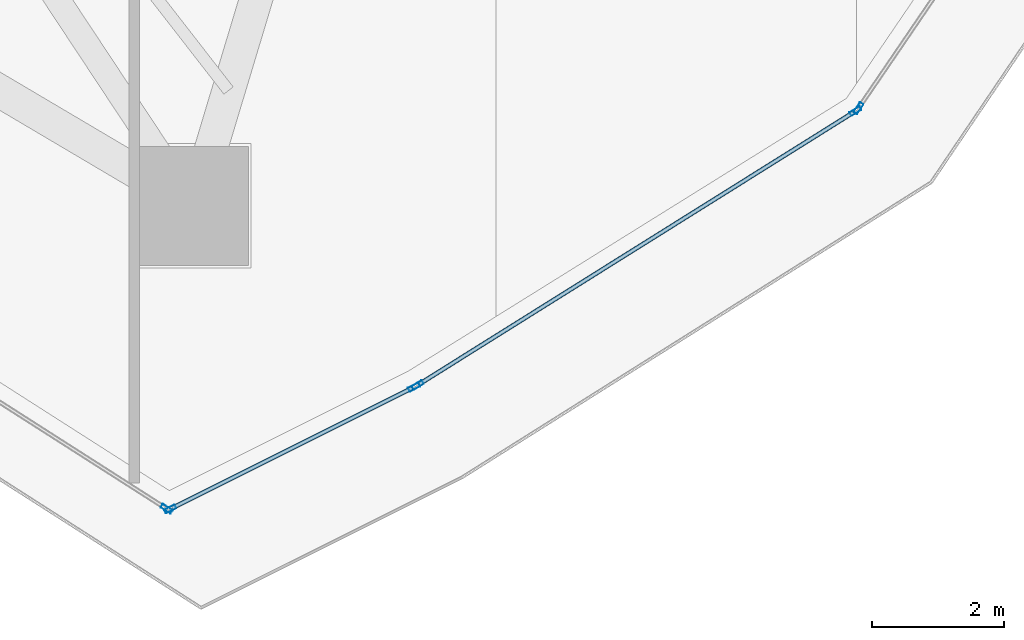
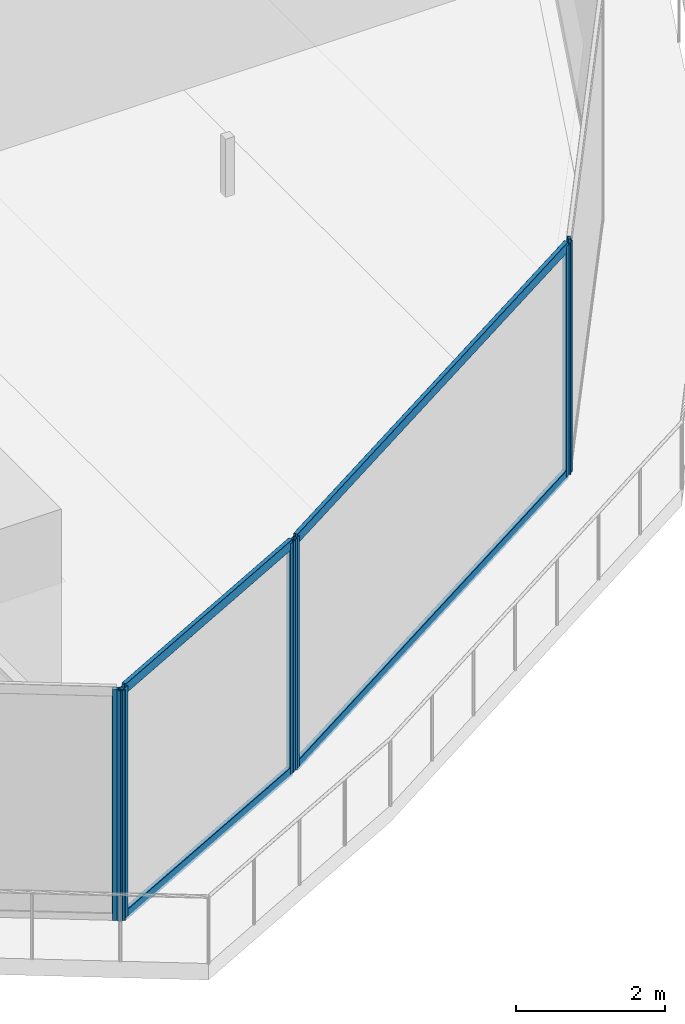
# One storey, part 8 of 33: 10 members, 4 elements without a shape of their own.
"""IFC4 building model written with IfcOpenShell, lengths in metres."""

import ifcopenshell
import ifcopenshell.guid

model = None  # the IFC model being written
_history = None  # IfcOwnerHistory: only IFC2X3 demands one
_inside = {}  # id of a spatial element -> (the spatial element, [elements in it])
_under = {}  # id of a project, library or spatial element -> (it, [spatial elements below it])
_declared = {}  # id of a project -> (the project, [libraries it declares])
_typed = {}  # id of a type object -> (the type object, [elements of that type])
_made_of = {}  # id of a material, layer set ... -> (it, [elements and type objects made of it])


def new_model(schema):
    """Start an empty IFC model of exactly this schema.

    Asked for "IFC4X3", IfcOpenShell would pick the latest addendum, in which some entities
    have other attributes; the version numbers below select the first issue.
    IFC2X3 requires an IfcOwnerHistory on every rooted entity: one is made here for all.
    """
    global model, _history
    if schema == "IFC4X3":
        model = ifcopenshell.file(schema_version=(4, 3, 0, 0))
    else:
        model = ifcopenshell.file(schema=schema)
    _inside.clear()
    _under.clear()
    _declared.clear()
    _typed.clear()
    _made_of.clear()
    _history = None
    if model.schema == "IFC2X3":
        org = make("IfcOrganization", Name="unknown")
        user = make(
            "IfcPersonAndOrganization",
            ThePerson=make("IfcPerson", FamilyName="unknown"),
            TheOrganization=org,
        )
        app = make(
            "IfcApplication",
            ApplicationDeveloper=org,
            Version="unknown",
            ApplicationFullName="unknown",
            ApplicationIdentifier="unknown",
        )
        _history = make(
            "IfcOwnerHistory",
            OwningUser=user,
            OwningApplication=app,
            ChangeAction="ADDED",
            CreationDate=0,
        )
    return model


def make(cls, **values):
    """One entity of the class cls with the attributes given. An attribute that is None is left unset."""
    return model.create_entity(
        cls, **{name: value for name, value in values.items() if value is not None}
    )


def rooted(cls, **values):
    """An entity with a GlobalId (a new one), such as an element, a storey or a relation."""
    return make(cls, GlobalId=ifcopenshell.guid.new(), OwnerHistory=_history, **values)


def si_unit(unit_type, name, prefix=None):
    """IfcSIUnit, for example si_unit("LENGTHUNIT", "METRE", prefix="MILLI")."""
    return make("IfcSIUnit", UnitType=unit_type, Prefix=prefix, Name=name)


def assignment(units):
    """IfcUnitAssignment: the units of a project."""
    return None if units is None else make("IfcUnitAssignment", Units=units)


def point(xyz):
    """IfcCartesianPoint."""
    return None if xyz is None else make("IfcCartesianPoint", Coordinates=xyz)


def direction(xyz):
    """IfcDirection."""
    return None if xyz is None else make("IfcDirection", DirectionRatios=xyz)


def frame(location, z_axis=None, x_axis=None):
    """IfcAxis2Placement3D, a coordinate frame: its origin and axes. An axis left out is left unset."""
    return make(
        "IfcAxis2Placement3D",
        Location=point(location),
        Axis=direction(z_axis),
        RefDirection=direction(x_axis),
    )


def frame_2d(location, x_axis=None):
    """IfcAxis2Placement2D, a coordinate frame in the plane: its origin and x axis."""
    return make(
        "IfcAxis2Placement2D", Location=point(location), RefDirection=direction(x_axis)
    )


def origin():
    """The frame at (0, 0, 0) with its axes left unset."""
    return frame((0.0, 0.0, 0.0))


def origin_2d():
    """The frame at (0, 0) in the plane with its x axis left unset."""
    return frame_2d((0.0, 0.0))


def place(relative_to, where):
    """IfcLocalPlacement: puts the frame where relative to a parent placement (None: the world)."""
    return make(
        "IfcLocalPlacement", PlacementRelTo=relative_to, RelativePlacement=where
    )


def context(
    kind, dimensions, precision=None, world=None, true_north=None, identifier=None
):
    """IfcGeometricRepresentationContext, for example the 3D "Model" context."""
    return make(
        "IfcGeometricRepresentationContext",
        ContextIdentifier=identifier,
        ContextType=kind,
        CoordinateSpaceDimension=dimensions,
        Precision=precision,
        WorldCoordinateSystem=world,
        TrueNorth=true_north,
    )


def subcontext(parent, identifier, kind, view, scale=None):
    """IfcGeometricRepresentationSubContext, for example "Body" below "Model"."""
    return make(
        "IfcGeometricRepresentationSubContext",
        ContextIdentifier=identifier,
        ContextType=kind,
        ParentContext=parent,
        TargetScale=scale,
        TargetView=view,
    )


def project(units=None, contexts=None):
    """IfcProject with its units and contexts."""
    return rooted(
        "IfcProject",
        Name="project",
        RepresentationContexts=contexts,
        UnitsInContext=assignment(units),
    )


def spatial(cls, under=None, at=None, **own):
    """A site, building, storey or space (cls), placed at a placement, below another one or the project."""
    s = rooted(cls, ObjectPlacement=at, **own)
    if under is not None:
        _under.setdefault(under.id(), (under, []))[1].append(s)
    return s


def profile(cls, at=None, kind="AREA", **sizes):
    """A parametric profile (cls). Its sizes go by their IFC names, for example OverallWidth=200.0."""
    return make(cls, ProfileType=kind, Position=at, **sizes)


def hollow_rectangle(**sizes):
    """IfcRectangleHollowProfileDef."""
    return profile("IfcRectangleHollowProfileDef", **sizes)


def extrude(swept, where, along, depth):
    """IfcExtrudedAreaSolid: the profile swept, set in the frame where, extruded along a direction by depth."""
    return make(
        "IfcExtrudedAreaSolid",
        SweptArea=swept,
        Position=where,
        ExtrudedDirection=direction(along),
        Depth=depth,
    )


def shape(context_of_items, identifier, shape_type, items):
    """IfcShapeRepresentation: the items that make up one representation, for example the "Body"."""
    return make(
        "IfcShapeRepresentation",
        ContextOfItems=context_of_items,
        RepresentationIdentifier=identifier,
        RepresentationType=shape_type,
        Items=items,
    )


def material(Name=None, Category=None):
    """IfcMaterial."""
    return make("IfcMaterial", Name=Name, Category=Category)


def layer(
    of_material, thickness, ventilated=None, Name=None, Category=None, Priority=None
):
    """IfcMaterialLayer: one layer of a wall or slab, of a material (None: an air gap)."""
    return make(
        "IfcMaterialLayer",
        Material=of_material,
        LayerThickness=thickness,
        IsVentilated=ventilated,
        Name=Name,
        Category=Category,
        Priority=Priority,
    )


def layer_set(layers, Name=None):
    """IfcMaterialLayerSet."""
    return make("IfcMaterialLayerSet", MaterialLayers=layers, LayerSetName=Name)


def material_profile(
    of_material, cross_section, Name=None, Category=None, Priority=None
):
    """IfcMaterialProfile: a cross section and its material."""
    return make(
        "IfcMaterialProfile",
        Name=Name,
        Material=of_material,
        Profile=cross_section,
        Priority=Priority,
        Category=Category,
    )


def profile_set(profiles, Name=None, composite=None):
    """IfcMaterialProfileSet."""
    return make(
        "IfcMaterialProfileSet",
        Name=Name,
        MaterialProfiles=profiles,
        CompositeProfile=composite,
    )


def made_of(thing, what):
    """Note that an element or type object is made of a material, layer set ...; save() writes the relation."""
    if what is not None:
        _made_of.setdefault(what.id(), (what, []))[1].append(thing)
    return thing


def type_object(cls, material=None, **own):
    """A type object (cls), such as IfcWallType, which elements share."""
    return made_of(rooted(cls, **own), material)


def element(
    cls,
    number,
    at=None,
    inside=None,
    cuts=None,
    type_object=None,
    material=None,
    context=None,
    identifier="Body",
    shape_type=None,
    held_by="IfcProductDefinitionShape",
    body=None,
    shapes=None,
    **own,
):
    """One element of the class cls, such as IfcWall. Its Tag is "e" and its number.

    at: its placement. inside: the storey or other place that contains it. cuts: it is an
    opening in that element (IfcRelVoidsElement). A single representation is given by context,
    identifier, shape_type and body (its items); several are given by shapes. held_by: the class
    of the entity that holds the representations. save() writes the other relations.
    """
    e = rooted(cls, Tag="e%d" % number, ObjectPlacement=at, **own)
    if body is not None:
        shapes = [shape(context, identifier, shape_type, body)]
    if shapes is not None:
        e.Representation = make(held_by, Representations=shapes)
    if inside is not None:
        _inside.setdefault(inside.id(), (inside, []))[1].append(e)
    if cuts is not None:
        rooted(
            "IfcRelVoidsElement", RelatingBuildingElement=cuts, RelatedOpeningElement=e
        )
    if type_object is not None:
        _typed.setdefault(type_object.id(), (type_object, []))[1].append(e)
    return made_of(e, material)


def aggregate(whole, parts):
    """IfcRelAggregates: a whole, such as a stair, and the parts it consists of."""
    return rooted("IfcRelAggregates", RelatingObject=whole, RelatedObjects=parts)


def save(model, path):
    """Write the relations noted so far, then the file.

    IfcRelAggregates (storeys below a building ...), IfcRelContainedInSpatialStructure (elements
    in a storey), IfcRelDefinesByType, IfcRelAssociatesMaterial and IfcRelDeclares: one each for
    every whole, place, type object, material and project.
    """
    for whole, parts in _under.values():
        aggregate(whole, parts)
    for where, things in _inside.values():
        rooted(
            "IfcRelContainedInSpatialStructure",
            RelatedElements=things,
            RelatingStructure=where,
        )
    for kind, things in _typed.values():
        rooted("IfcRelDefinesByType", RelatedObjects=things, RelatingType=kind)
    for what, things in _made_of.values():
        rooted("IfcRelAssociatesMaterial", RelatedObjects=things, RelatingMaterial=what)
    for by, libraries in _declared.values():
        rooted("IfcRelDeclares", RelatingContext=by, RelatedDefinitions=libraries)
    model.write(path)


model = new_model("IFC4")

# Units and contexts
model_context = context("Model", 3, precision=1e-05, world=origin(), true_north=direction((0.0, 1.0)))
body_context = subcontext(model_context, "Body", "Model", "MODEL_VIEW")
ifc_project = project(units=[si_unit("LENGTHUNIT", "METRE"), si_unit("AREAUNIT", "SQUARE_METRE"), si_unit("VOLUMEUNIT", "CUBIC_METRE"), si_unit("PLANEANGLEUNIT", "RADIAN"), si_unit("MASSUNIT", "GRAM", prefix="KILO")], contexts=[model_context])

# Site, building, storey
site_placement = place(None, origin())
site = spatial("IfcSite", under=ifc_project, at=site_placement, CompositionType="ELEMENT")
building_placement = place(site_placement, origin())
building = spatial("IfcBuilding", under=site, at=building_placement, Name="Qorvath Tower", CompositionType="ELEMENT")
storey_placement = place(building_placement, frame((0.0, 0.0, 237.449951171875)))
storey = spatial("IfcBuildingStorey", under=building, at=storey_placement, Name="L55", CompositionType="ELEMENT", Elevation=237.449951171875)

# Curtain wall, member
ifc_material_1 = material(Name="Anodised aluminium and triple low-E glass", Category="aluminium")
ifc_layer = layer(ifc_material_1, 0.179931640625)
ifc_layer_set = layer_set([ifc_layer], Name="CW-SYS-3")
curtain_wall_type = type_object("IfcCurtainWallType", Name="CW-SYS-3", PredefinedType="NOTDEFINED", material=ifc_layer_set)
curtain_wall_1_placement = place(storey_placement, origin())
curtain_wall_1 = element("IfcCurtainWall", 1, at=curtain_wall_1_placement, inside=storey, type_object=curtain_wall_type, Name="Curtain Wall CW-3 CW-T-L55-2.2", PredefinedType="NOTDEFINED")
ifc_material_2 = material(Name="Anodised aluminium 6063-T6", Category="aluminium")
ifc_material_profile_1 = material_profile(ifc_material_2, hollow_rectangle(XDim=0.06494140625, YDim=0.179931640625, WallThickness=0.00341796875, InnerFilletRadius=0.00341796875, OuterFilletRadius=0.007080078125, at=origin_2d()), Name="CWM 180x65")
ifc_profile_set_1 = profile_set([ifc_material_profile_1], Name="Anodised aluminium 6063-T6")
member_type_1 = type_object("IfcMemberType", Name="CWM-180", PredefinedType="MULLION", material=ifc_profile_set_1)
member_1_placement = place(storey_placement, frame((-17.2841796875, -26.211669921875, 0.0), z_axis=(0.0, 0.0, 1.0), x_axis=(0.53852851579, 0.842607285561, 0.0)))
member_1 = element("IfcMember", 2, at=member_1_placement, type_object=member_type_1, Name="CW-3 mullion 8", PredefinedType="MULLION", context=body_context, shape_type="SweptSolid", body=[
    extrude(hollow_rectangle(XDim=0.06494140625, YDim=0.179931640625, WallThickness=0.00341796875, InnerFilletRadius=0.00341796875, OuterFilletRadius=0.007080078125, at=origin_2d()), origin(), (0.0, 0.0, 1.0), 3.780029296875),
])
aggregate(curtain_wall_1, [member_1])

# Curtain wall, members
curtain_wall_2_placement = place(storey_placement, origin())
curtain_wall_2 = element("IfcCurtainWall", 3, at=curtain_wall_2_placement, inside=storey, type_object=curtain_wall_type, Name="Curtain Wall CW-3 CW-T-L55-3.1", PredefinedType="NOTDEFINED")
member_2_placement = place(storey_placement, frame((-17.227783203125, -26.214599609375, 0.0), z_axis=(0.0, 0.0, 1.0), x_axis=(-0.447213595499, 0.894427191001, 0.0)))
member_2 = element("IfcMember", 4, at=member_2_placement, type_object=member_type_1, Name="CW-3 mullion 1", PredefinedType="MULLION", context=body_context, shape_type="SweptSolid", body=[
    extrude(hollow_rectangle(XDim=0.06494140625, YDim=0.179931640625, WallThickness=0.00341796875, InnerFilletRadius=0.00341796875, OuterFilletRadius=0.007080078125, at=origin_2d()), origin(), (0.0, 0.0, 1.0), 3.780029296875),
])
member_3_placement = place(storey_placement, frame((-13.538818359375, -24.3701171875, 0.0), z_axis=(0.0, 0.0, 1.0), x_axis=(-0.447213595499, 0.894427191001, 0.0)))
member_3 = element("IfcMember", 5, at=member_3_placement, type_object=member_type_1, Name="CW-3 mullion 2", PredefinedType="MULLION", context=body_context, shape_type="SweptSolid", body=[
    extrude(hollow_rectangle(XDim=0.06494140625, YDim=0.179931640625, WallThickness=0.00341796875, InnerFilletRadius=0.00341796875, OuterFilletRadius=0.007080078125, at=origin_2d()), origin(), (0.0, 0.0, 1.0), 3.780029296875),
])

curtain_wall_3_placement = place(storey_placement, origin())
curtain_wall_3 = element("IfcCurtainWall", 6, at=curtain_wall_3_placement, inside=storey, type_object=curtain_wall_type, Name="Curtain Wall CW-3 CW-T-L55-4.1", PredefinedType="NOTDEFINED")
member_4_placement = place(storey_placement, frame((-13.482177734375, -24.33837890625, 0.0), z_axis=(0.0, 0.0, 1.0), x_axis=(-0.530497446671, 0.847686533499, 0.0)))
member_4 = element("IfcMember", 7, at=member_4_placement, type_object=member_type_1, Name="CW-3 mullion 1", PredefinedType="MULLION", context=body_context, shape_type="SweptSolid", body=[
    extrude(hollow_rectangle(XDim=0.06494140625, YDim=0.179931640625, WallThickness=0.00341796875, InnerFilletRadius=0.00341796875, OuterFilletRadius=0.007080078125, at=origin_2d()), origin(), (0.0, 0.0, 1.0), 3.780029296875),
])
member_5_placement = place(storey_placement, frame((-6.859130859375, -20.193603515625, 0.0), z_axis=(0.0, 0.0, 1.0), x_axis=(-0.530497446671, 0.847686533499, 0.0)))
member_5 = element("IfcMember", 8, at=member_5_placement, type_object=member_type_1, Name="CW-3 mullion 2", PredefinedType="MULLION", context=body_context, shape_type="SweptSolid", body=[
    extrude(hollow_rectangle(XDim=0.06494140625, YDim=0.179931640625, WallThickness=0.00341796875, InnerFilletRadius=0.00341796875, OuterFilletRadius=0.007080078125, at=origin_2d()), origin(), (0.0, 0.0, 1.0), 3.780029296875),
])

# Curtain wall, member
curtain_wall_4_placement = place(storey_placement, origin())
curtain_wall_4 = element("IfcCurtainWall", 9, at=curtain_wall_4_placement, inside=storey, type_object=curtain_wall_type, Name="Curtain Wall CW-3 CW-T-L55-5.1", PredefinedType="NOTDEFINED")
member_6_placement = place(storey_placement, frame((-6.813232421875, -20.1494140625, 0.0), z_axis=(0.0, 0.0, 1.0), x_axis=(-0.826473596685, 0.562975482577, 0.0)))
member_6 = element("IfcMember", 10, at=member_6_placement, type_object=member_type_1, Name="CW-3 mullion 1", PredefinedType="MULLION", context=body_context, shape_type="SweptSolid", body=[
    extrude(hollow_rectangle(XDim=0.06494140625, YDim=0.179931640625, WallThickness=0.00341796875, InnerFilletRadius=0.00341796875, OuterFilletRadius=0.007080078125, at=origin_2d()), origin(), (0.0, 0.0, 1.0), 3.780029296875),
])
aggregate(curtain_wall_4, [member_6])

# Member
ifc_material_3 = material(Name="Anodised aluminium 6063-T6", Category="aluminium")
ifc_material_profile_2 = material_profile(ifc_material_3, hollow_rectangle(XDim=0.06494140625, YDim=0.159912109375, WallThickness=0.00341796875, InnerFilletRadius=0.00341796875, OuterFilletRadius=0.007080078125, at=origin_2d()), Name="CWT 160x65")
ifc_profile_set_2 = profile_set([ifc_material_profile_2], Name="Anodised aluminium 6063-T6")
member_type_2 = type_object("IfcMemberType", Name="CWT-160", PredefinedType="USERDEFINED", material=ifc_profile_set_2)
member_7_placement = place(storey_placement, frame((-17.19873046875, -26.2001953125, 0.032470703125), z_axis=(0.894427191, 0.4472135955, 0.0), x_axis=(-0.4472135955, 0.894427191, 0.0)))
member_7 = element("IfcMember", 11, at=member_7_placement, type_object=member_type_2, Name="CW-3 transom 1.1", ObjectType="TRANSOM", PredefinedType="USERDEFINED", context=body_context, shape_type="SweptSolid", body=[
    extrude(hollow_rectangle(XDim=0.06494140625, YDim=0.159912109375, WallThickness=0.00341796875, InnerFilletRadius=0.00341796875, OuterFilletRadius=0.007080078125, at=origin_2d()), origin(), (0.0, 0.0, 1.0), 4.059326171875),
])

member_8_placement = place(storey_placement, frame((-17.19873046875, -26.2001953125, 3.74755859375), z_axis=(0.894427191, 0.4472135955, 0.0), x_axis=(-0.4472135955, 0.894427191, 0.0)))
member_8 = element("IfcMember", 12, at=member_8_placement, type_object=member_type_2, Name="CW-3 transom 1.2", ObjectType="TRANSOM", PredefinedType="USERDEFINED", context=body_context, shape_type="SweptSolid", body=[
    extrude(hollow_rectangle(XDim=0.06494140625, YDim=0.159912109375, WallThickness=0.00341796875, InnerFilletRadius=0.00341796875, OuterFilletRadius=0.007080078125, at=origin_2d()), origin(), (0.0, 0.0, 1.0), 4.059326171875),
])

aggregate(curtain_wall_2, [member_2, member_3, member_7, member_8])

member_9_placement = place(storey_placement, frame((-13.45458984375, -24.3212890625, 0.032470703125), z_axis=(0.847668883672, 0.530525648442, 0.0), x_axis=(-0.530525648442, 0.847668883672, 0.0)))
member_9 = element("IfcMember", 13, at=member_9_placement, type_object=member_type_2, Name="CW-3 transom 1.1", ObjectType="TRANSOM", PredefinedType="USERDEFINED", context=body_context, shape_type="SweptSolid", body=[
    extrude(hollow_rectangle(XDim=0.06494140625, YDim=0.159912109375, WallThickness=0.00341796875, InnerFilletRadius=0.00341796875, OuterFilletRadius=0.007080078125, at=origin_2d()), origin(), (0.0, 0.0, 1.0), 7.748046875),
])

member_10_placement = place(storey_placement, frame((-13.45458984375, -24.3212890625, 3.74755859375), z_axis=(0.847668883672, 0.530525648442, 0.0), x_axis=(-0.530525648442, 0.847668883672, 0.0)))
member_10 = element("IfcMember", 14, at=member_10_placement, type_object=member_type_2, Name="CW-3 transom 1.2", ObjectType="TRANSOM", PredefinedType="USERDEFINED", context=body_context, shape_type="SweptSolid", body=[
    extrude(hollow_rectangle(XDim=0.06494140625, YDim=0.159912109375, WallThickness=0.00341796875, InnerFilletRadius=0.00341796875, OuterFilletRadius=0.007080078125, at=origin_2d()), origin(), (0.0, 0.0, 1.0), 7.748046875),
])

aggregate(curtain_wall_3, [member_4, member_5, member_9, member_10])

save(model, "model.ifc")
